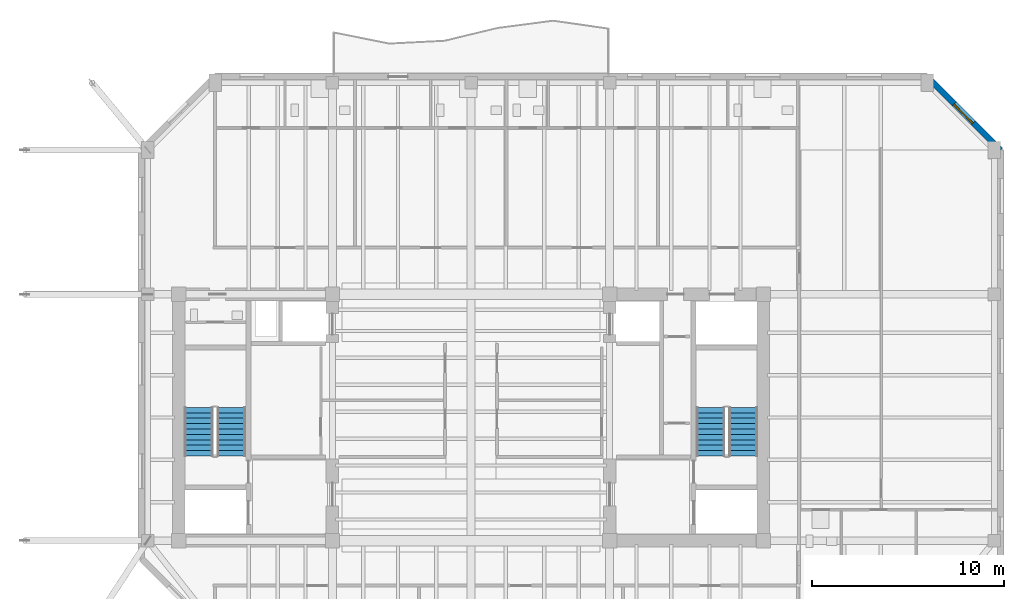
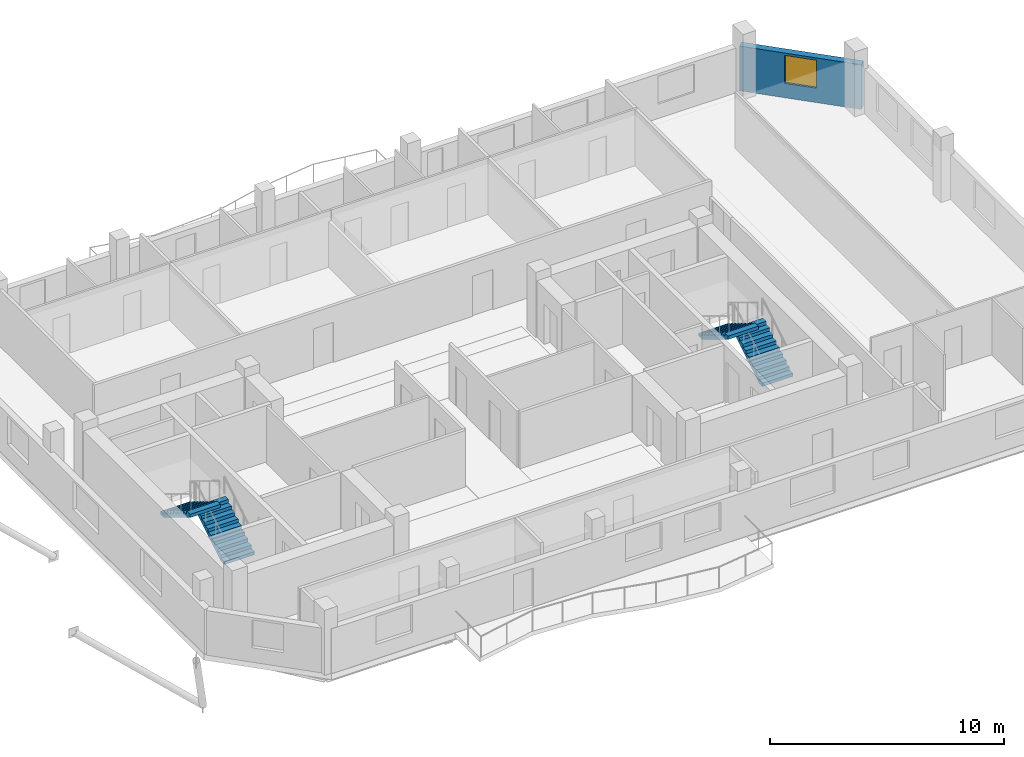
# One storey, part 7 of 10: 4 stair flights, 1 wall, 1 window, 1 opening, 2 elements without a shape of their own.
"""IFC4 building model written with IfcOpenShell, lengths in metres."""

from ifc_helpers import new_model, si_unit, direction, frame, frame_2d, origin, place, context, subcontext, project, spatial, polyline, rectangle, outline, extrude, material, layer, layer_set, type_object, element, fill, aggregate, save


model = new_model("IFC4")

# Units and contexts
model_context = context("Model", 3, precision=1e-05, world=origin(), true_north=direction((0.0, 1.0)))
body_context = subcontext(model_context, "Body", "Model", "MODEL_VIEW")
ifc_project = project(units=[si_unit("LENGTHUNIT", "METRE"), si_unit("AREAUNIT", "SQUARE_METRE"), si_unit("VOLUMEUNIT", "CUBIC_METRE"), si_unit("PLANEANGLEUNIT", "RADIAN"), si_unit("MASSUNIT", "GRAM", prefix="KILO")], contexts=[model_context])

# Site, building, storey
site_placement = place(None, origin())
site = spatial("IfcSite", under=ifc_project, at=site_placement, CompositionType="ELEMENT")
building_placement = place(site_placement, origin())
building = spatial("IfcBuilding", under=site, at=building_placement, Name="Kranthara Brick Stack", CompositionType="ELEMENT")
storey_placement = place(building_placement, frame((0.0, 0.0, 265.300048828125)))
storey = spatial("IfcBuildingStorey", under=building, at=storey_placement, Name="L70", CompositionType="ELEMENT", Elevation=265.300048828125)

# Wall, opening, window
ifc_material_1 = material(Name="Warm buff clay brick masonry M15", Category="masonry")
ifc_layer = layer(ifc_material_1, 0.320068359375)
ifc_layer_set = layer_set([ifc_layer], Name="Warm buff clay brick masonry M15")
wall_type = type_object("IfcWallType", Name="WL-BRK-UPPR-320", PredefinedType="STANDARD", material=ifc_layer_set)
wall_placement = place(storey_placement, frame((51.699951171875, 44.919921875, 0.0), z_axis=(0.0, 0.0, 1.0), x_axis=(0.70712937715, -0.707084184501, 0.0)))
wall = element("IfcWall", 1, at=wall_placement, inside=storey, type_object=wall_type, Name="L70 Exterior Brick Facade Wall NE 1", PredefinedType="STANDARD", context=body_context, shape_type="SweptSolid", body=[
    extrude(rectangle(XDim=5.402099609375, YDim=0.320068359375, at=frame_2d((2.701171875, 0.0))), origin(), (0.0, 0.0, 1.0), 2.3349609375),
])
opening_placement = place(wall_placement, frame((2.0009765625, 0.0, 0.75)))
opening = element("IfcOpeningElement", 2, at=opening_placement, cuts=wall, Name="Opening WN10", PredefinedType="OPENING", context=body_context, shape_type="SweptSolid", body=[
    extrude(rectangle(XDim=1.39990234375, YDim=1.465087890625, at=frame_2d((0.699951171875, 0.732421875))), frame((0.0, 0.169921875, 0.0), z_axis=(0.0, -1.0, 0.0), x_axis=(1.0, 0.0, 0.0)), (0.0, 0.0, 1.0), 0.340087890625),
])
ifc_material_2 = material(Name="Double-glazed low-E solar control glass", Category="glass")
window_type = type_object("IfcWindowType", Name="WN-CHM-1400x1750", PartitioningType="SINGLE_PANEL", PredefinedType="WINDOW", material=ifc_material_2)
window_placement = place(opening_placement, origin())
window = element("IfcWindow", 3, at=window_placement, inside=storey, type_object=window_type, Name="L70 NE Chamfer Corner Window", OverallHeight=1.465087890625, OverallWidth=1.39990234375, PartitioningType="SINGLE_PANEL", PredefinedType="WINDOW", context=body_context, shape_type="SweptSolid", body=[
    extrude(rectangle(XDim=1.39990234375, YDim=1.465087890625, at=frame_2d((0.699951171875, 0.732421875))), frame((0.0, -0.010009765625, 0.0), z_axis=(0.0, -1.0, 0.0), x_axis=(1.0, 0.0, 0.0)), (0.0, 0.0, 1.0), 0.06005859375),
])
fill(opening, window)

# Stair, stair flights
ifc_material_3 = material(Name="Concrete C45/55", Category="concrete")
stair_type = type_object("IfcStairType", Name="ST-CORE-20R", PredefinedType="HALF_TURN_STAIR", material=ifc_material_3)
stair_1_placement = place(storey_placement, origin())
stair_1 = element("IfcStair", 4, at=stair_1_placement, inside=storey, type_object=stair_type, Name="L70 West Core Protected Exit Stair ST01", PredefinedType="HALF_TURN_STAIR")
ifc_material_4 = material(Name="Concrete C45/55", Category="concrete")
stair_flight_type = type_object("IfcStairFlightType", Name="SFL-RC-20R", PredefinedType="STRAIGHT", material=ifc_material_4)
stair_flight_1_placement = place(storey_placement, frame((15.550048828125, 25.199951171875, 0.0), z_axis=(0.0, 0.0, 1.0), x_axis=(0.0, 1.0, 0.0)))
stair_flight_1 = element("IfcStairFlight", 5, at=stair_flight_1_placement, type_object=stair_flight_type, Name="ST01 flight 1", NumberOfRisers=10, NumberOfTreads=9, PredefinedType="STRAIGHT", RiserHeight=0.17, TreadLength=0.28, context=body_context, shape_type="SweptSolid", body=[
    extrude(outline(polyline([(0.0, 0.0), (0.0, 0.169921875), (0.280029296875, 0.169921875), (0.280029296875, 0.340087890625), (0.56005859375, 0.340087890625), (0.56005859375, 0.510009765625), (0.840087890625, 0.510009765625), (0.840087890625, 0.679931640625), (1.1201171875, 0.679931640625), (1.1201171875, 0.85009765625), (1.39990234375, 0.85009765625), (1.39990234375, 1.02001953125), (1.679931640625, 1.02001953125), (1.679931640625, 1.18994140625), (1.9599609375, 1.18994140625), (1.9599609375, 1.360107421875), (2.239990234375, 1.360107421875), (2.239990234375, 1.530029296875), (2.52001953125, 1.530029296875), (2.52001953125, 1.699951171875), (2.52001953125, 1.354736328125), (0.288818359375, 0.0), (0.0, 0.0)])), frame((0.0, 0.75, 0.0), z_axis=(0.0, -1.0, 0.0), x_axis=(1.0, 0.0, 0.0)), (0.0, 0.0, 1.0), 1.5),
])
stair_flight_2_placement = place(storey_placement, frame((13.85009765625, 27.719970703125, 1.699951171875), z_axis=(0.0, 0.0, 1.0), x_axis=(0.0, -1.0, 0.0)))
stair_flight_2 = element("IfcStairFlight", 6, at=stair_flight_2_placement, type_object=stair_flight_type, Name="ST01 flight 2", NumberOfRisers=10, NumberOfTreads=9, PredefinedType="STRAIGHT", RiserHeight=0.17, TreadLength=0.28, context=body_context, shape_type="SweptSolid", body=[
    extrude(outline(polyline([(0.0, 0.0), (0.0, 0.169921875), (0.280029296875, 0.169921875), (0.280029296875, 0.340087890625), (0.56005859375, 0.340087890625), (0.56005859375, 0.510009765625), (0.840087890625, 0.510009765625), (0.840087890625, 0.679931640625), (1.1201171875, 0.679931640625), (1.1201171875, 0.85009765625), (1.39990234375, 0.85009765625), (1.39990234375, 1.02001953125), (1.679931640625, 1.02001953125), (1.679931640625, 1.18994140625), (1.9599609375, 1.18994140625), (1.9599609375, 1.360107421875), (2.239990234375, 1.360107421875), (2.239990234375, 1.530029296875), (2.52001953125, 1.530029296875), (2.52001953125, 1.699951171875), (2.52001953125, 1.354736328125), (0.288818359375, 0.0), (0.0, 0.0)])), frame((0.0, 0.75, 0.0), z_axis=(0.0, -1.0, 0.0), x_axis=(1.0, 0.0, 0.0)), (0.0, 0.0, 1.0), 1.5),
])
aggregate(stair_1, [stair_flight_1, stair_flight_2])

stair_2_placement = place(storey_placement, origin())
stair_2 = element("IfcStair", 7, at=stair_2_placement, inside=storey, type_object=stair_type, Name="L70 East Core Protected Exit Stair ST02", PredefinedType="HALF_TURN_STAIR")
stair_flight_3_placement = place(storey_placement, frame((42.14990234375, 25.199951171875, 0.0), z_axis=(0.0, 0.0, 1.0), x_axis=(0.0, 1.0, 0.0)))
stair_flight_3 = element("IfcStairFlight", 8, at=stair_flight_3_placement, type_object=stair_flight_type, Name="ST02 flight 1", NumberOfRisers=10, NumberOfTreads=9, PredefinedType="STRAIGHT", RiserHeight=0.17, TreadLength=0.28, context=body_context, shape_type="SweptSolid", body=[
    extrude(outline(polyline([(0.0, 0.0), (0.0, 0.169921875), (0.280029296875, 0.169921875), (0.280029296875, 0.340087890625), (0.56005859375, 0.340087890625), (0.56005859375, 0.510009765625), (0.840087890625, 0.510009765625), (0.840087890625, 0.679931640625), (1.1201171875, 0.679931640625), (1.1201171875, 0.85009765625), (1.39990234375, 0.85009765625), (1.39990234375, 1.02001953125), (1.679931640625, 1.02001953125), (1.679931640625, 1.18994140625), (1.9599609375, 1.18994140625), (1.9599609375, 1.360107421875), (2.239990234375, 1.360107421875), (2.239990234375, 1.530029296875), (2.52001953125, 1.530029296875), (2.52001953125, 1.699951171875), (2.52001953125, 1.354736328125), (0.288818359375, 0.0), (0.0, 0.0)])), frame((0.0, 0.75, 0.0), z_axis=(0.0, -1.0, 0.0), x_axis=(1.0, 0.0, 0.0)), (0.0, 0.0, 1.0), 1.5),
])
stair_flight_4_placement = place(storey_placement, frame((40.449951171875, 27.719970703125, 1.699951171875), z_axis=(0.0, 0.0, 1.0), x_axis=(0.0, -1.0, 0.0)))
stair_flight_4 = element("IfcStairFlight", 9, at=stair_flight_4_placement, type_object=stair_flight_type, Name="ST02 flight 2", NumberOfRisers=10, NumberOfTreads=9, PredefinedType="STRAIGHT", RiserHeight=0.17, TreadLength=0.28, context=body_context, shape_type="SweptSolid", body=[
    extrude(outline(polyline([(0.0, 0.0), (0.0, 0.169921875), (0.280029296875, 0.169921875), (0.280029296875, 0.340087890625), (0.56005859375, 0.340087890625), (0.56005859375, 0.510009765625), (0.840087890625, 0.510009765625), (0.840087890625, 0.679931640625), (1.1201171875, 0.679931640625), (1.1201171875, 0.85009765625), (1.39990234375, 0.85009765625), (1.39990234375, 1.02001953125), (1.679931640625, 1.02001953125), (1.679931640625, 1.18994140625), (1.9599609375, 1.18994140625), (1.9599609375, 1.360107421875), (2.239990234375, 1.360107421875), (2.239990234375, 1.530029296875), (2.52001953125, 1.530029296875), (2.52001953125, 1.699951171875), (2.52001953125, 1.354736328125), (0.288818359375, 0.0), (0.0, 0.0)])), frame((0.0, 0.75, 0.0), z_axis=(0.0, -1.0, 0.0), x_axis=(1.0, 0.0, 0.0)), (0.0, 0.0, 1.0), 1.5),
])
aggregate(stair_2, [stair_flight_3, stair_flight_4])

save(model, "model.ifc")
